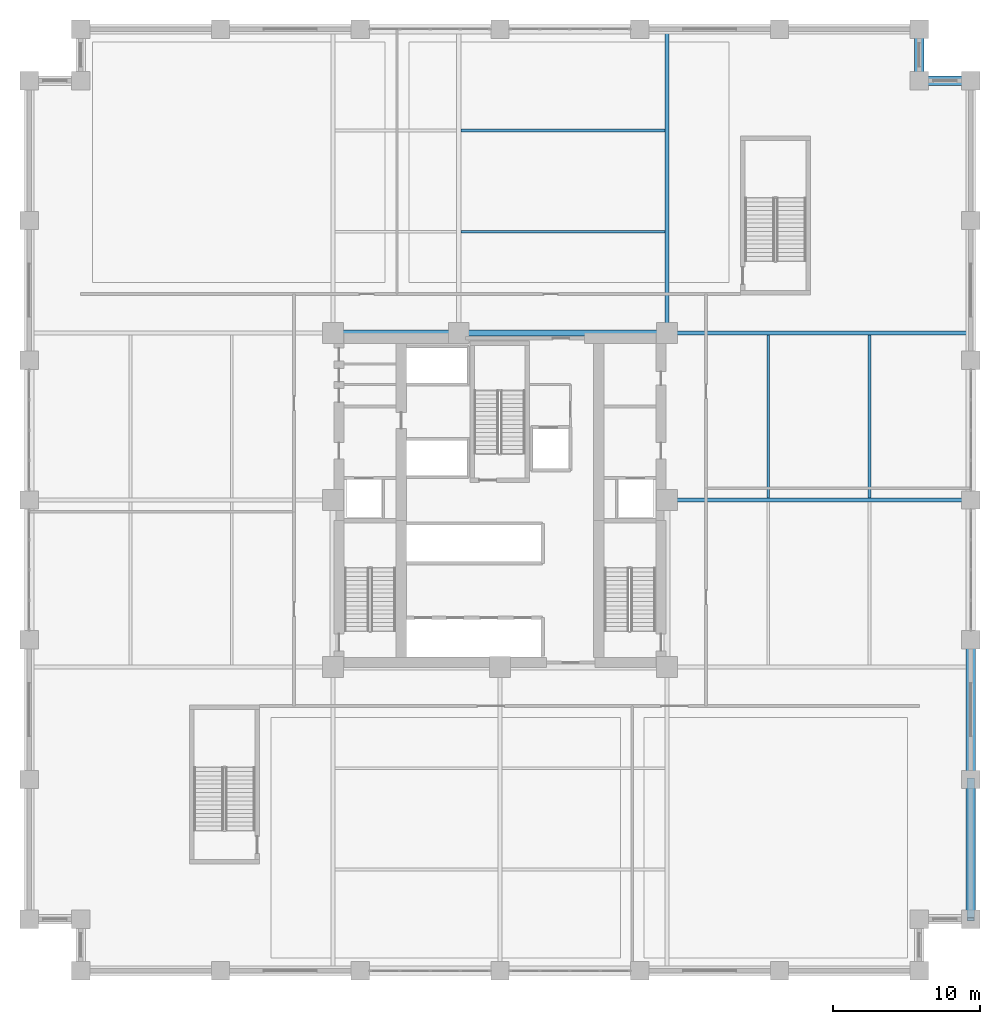
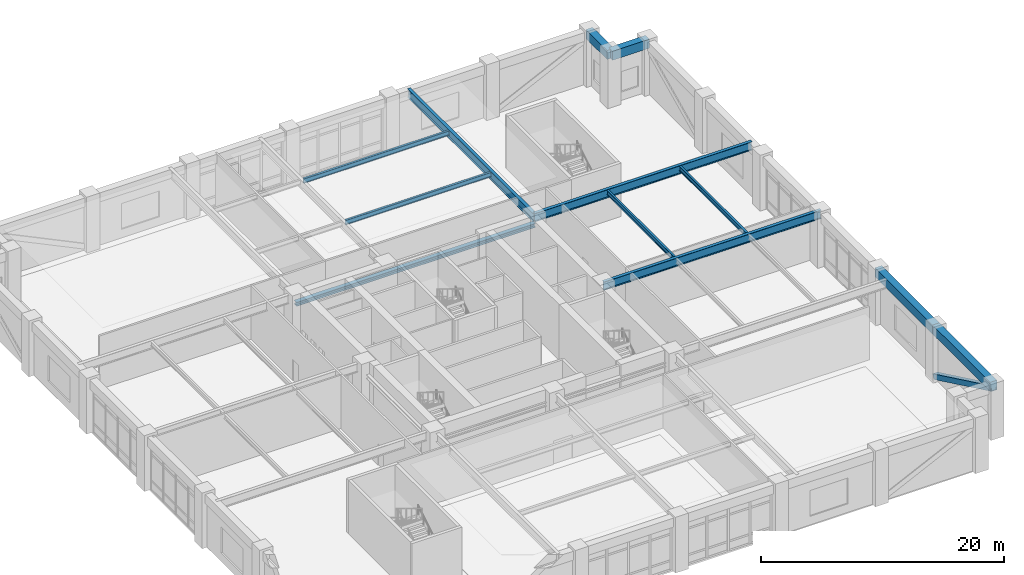
# One storey, part 7 of 21: 11 beams, 2 members.
"""IFC4 building model written with IfcOpenShell, lengths in metres."""

from ifc_helpers import new_model, si_unit, direction, frame, origin, origin_2d, place, context, subcontext, project, spatial, rectangle, hollow_rectangle, i_section, extrude, material, material_profile, profile_set, type_object, element, save


model = new_model("IFC4")

# Units and contexts
model_context = context("Model", 3, precision=1e-05, world=origin(), true_north=direction((0.0, 1.0)))
body_context = subcontext(model_context, "Body", "Model", "MODEL_VIEW")
ifc_project = project(units=[si_unit("LENGTHUNIT", "METRE"), si_unit("AREAUNIT", "SQUARE_METRE"), si_unit("VOLUMEUNIT", "CUBIC_METRE"), si_unit("PLANEANGLEUNIT", "RADIAN"), si_unit("MASSUNIT", "GRAM", prefix="KILO")], contexts=[model_context])

# Site, building, storey
site_placement = place(None, origin())
site = spatial("IfcSite", under=ifc_project, at=site_placement, CompositionType="ELEMENT")
building_placement = place(site_placement, origin())
building = spatial("IfcBuilding", under=site, at=building_placement, Name="Nhamokura Convention Tower", CompositionType="ELEMENT")
storey_placement = place(building_placement, frame((0.0, 0.0, 12.25)))
storey = spatial("IfcBuildingStorey", under=building, at=storey_placement, Name="L02", CompositionType="ELEMENT", Elevation=12.25)

# Beams
ifc_material_1 = material(Name="Steel ASTM A992 Gr 50", Category="steel")
ifc_material_profile_1 = material_profile(ifc_material_1, i_section(OverallWidth=0.19189453125, OverallDepth=0.462890625, WebThickness=0.010498046875, FlangeThickness=0.017578125, at=origin_2d()))
ifc_profile_set_1 = profile_set([ifc_material_profile_1], Name="Steel ASTM A992 Gr 50")
beam_type_1 = type_object("IfcBeamType", Name="FloorJoist_W460X89", PredefinedType="JOIST", material=ifc_profile_set_1)
for number, where, z_axis, x_axis, name in (
    (1, (29.344970703125, 50.2333984375, 5.12841796875), (1.0, 0.0, 0.0), (0.0, 1.0, 0.0), "L02 Composite Floor Joist N1B"),
    (2, (29.344970703125, 57.11669921875, 5.12841796875), (1.0, 0.0, 0.0), (0.0, 1.0, 0.0), "L02 Composite Floor Joist N2B"),
):
    element("IfcBeam", number, at=place(storey_placement, frame(where, z_axis=z_axis, x_axis=x_axis)), inside=storey, type_object=beam_type_1, Name=name, PredefinedType="JOIST", context=body_context, shape_type="SweptSolid", body=[
        extrude(i_section(OverallWidth=0.19189453125, OverallDepth=0.462890625, WebThickness=0.010498046875, FlangeThickness=0.017578125, at=origin_2d()), origin(), (0.0, 0.0, 1.0), 13.860107421875),
    ])
for number, where, z_axis, x_axis, name in (
    (3, (50.2333984375, 32.14501953125, 5.12841796875), (0.0, 1.0, 0.0), (-1.0, 0.0, 0.0), "L02 Composite Floor Joist E1B"),
    (4, (57.11669921875, 32.14501953125, 5.12841796875), (0.0, 1.0, 0.0), (-1.0, 0.0, 0.0), "L02 Composite Floor Joist E2B"),
):
    element("IfcBeam", number, at=place(storey_placement, frame(where, z_axis=z_axis, x_axis=x_axis)), inside=storey, type_object=beam_type_1, Name=name, PredefinedType="JOIST", context=body_context, shape_type="SweptSolid", body=[
        extrude(i_section(OverallWidth=0.19189453125, OverallDepth=0.462890625, WebThickness=0.010498046875, FlangeThickness=0.017578125, at=origin_2d()), origin(), (0.0, 0.0, 1.0), 11.06005859375),
    ])
ifc_material_2 = material(Name="Steel ASTM A992 Gr 50", Category="steel")
ifc_material_profile_2 = material_profile(ifc_material_2, i_section(OverallWidth=0.2939453125, OverallDepth=0.85107421875, WebThickness=0.01611328125, FlangeThickness=0.02685546875, at=origin_2d()))
ifc_profile_set_2 = profile_set([ifc_material_profile_2], Name="Steel ASTM A992 Gr 50")
beam_type_2 = type_object("IfcBeamType", Name="HallGirder_W840X226", PredefinedType="BEAM", material=ifc_profile_set_2)
for number, where, z_axis, x_axis, name in (
    (5, (43.35009765625, 43.35009765625, 4.9345703125), (0.0, 1.0, 0.0), (-1.0, 0.0, 0.0), "L02 Primary Floor Girder PG-N3"),
    (6, (43.35009765625, 32.0, 4.9345703125), (1.0, 0.0, 0.0), (0.0, 1.0, 0.0), "L02 Primary Floor Girder PG-E2"),
    (7, (43.35009765625, 43.35009765625, 4.9345703125), (1.0, 0.0, 0.0), (0.0, 1.0, 0.0), "L02 Primary Floor Girder PG-E3"),
):
    element("IfcBeam", number, at=place(storey_placement, frame(where, z_axis=z_axis, x_axis=x_axis)), inside=storey, type_object=beam_type_2, Name=name, PredefinedType="BEAM", context=body_context, shape_type="SweptSolid", body=[
        extrude(i_section(OverallWidth=0.2939453125, OverallDepth=0.85107421875, WebThickness=0.01611328125, FlangeThickness=0.02685546875, at=origin_2d()), origin(), (0.0, 0.0, 1.0), 20.64990234375),
    ])

# Members
ifc_material_3 = material(Name="Steel ASTM A572 Gr 50", Category="steel")
ifc_material_profile_3 = material_profile(ifc_material_3, i_section(OverallWidth=0.404052734375, OverallDepth=0.406982421875, WebThickness=0.027099609375, FlangeThickness=0.043701171875, at=origin_2d()))
ifc_profile_set_3 = profile_set([ifc_material_profile_3], Name="Steel ASTM A572 Gr 50")
member_type_1 = type_object("IfcMemberType", Name="HallTrussChord_W360X347", PredefinedType="CHORD", material=ifc_profile_set_3)
member_1_placement = place(storey_placement, frame((20.64990234375, 43.35009765625, 4.2099609375), z_axis=(1.0, 0.0, 0.0), x_axis=(0.0, 1.0, 0.0)))
element("IfcMember", 8, at=member_1_placement, inside=storey, type_object=member_type_1, Name="L02 Convention Hall Truss Chord HTC-N", PredefinedType="CHORD", context=body_context, shape_type="SweptSolid", body=[
    extrude(i_section(OverallWidth=0.404052734375, OverallDepth=0.406982421875, WebThickness=0.027099609375, FlangeThickness=0.043701171875, at=origin_2d()), origin(), (0.0, 0.0, 1.0), 22.7001953125),
])
ifc_material_4 = material(Name="Steel ASTM A572 Gr 50", Category="steel")
ifc_material_profile_4 = material_profile(ifc_material_4, hollow_rectangle(XDim=0.5, YDim=0.5, WallThickness=0.02490234375, at=origin_2d()))
ifc_profile_set_4 = profile_set([ifc_material_profile_4], Name="Steel ASTM A572 Gr 50")
member_type_2 = type_object("IfcMemberType", Name="TubeBrace_HSS500", PredefinedType="BRACE", material=ifc_profile_set_4)
member_2_placement = place(storey_placement, frame((64.0, 13.0, 0.14990234375), z_axis=(0.0, -0.901520888263, 0.432735586734), x_axis=(1.0, 0.0, 0.0)))
element("IfcMember", 9, at=member_2_placement, inside=storey, type_object=member_type_2, Name="L02 Perimeter Tube Brace EAST Bay 0", PredefinedType="BRACE", context=body_context, shape_type="SweptSolid", body=[
    extrude(hollow_rectangle(XDim=0.5, YDim=0.5, WallThickness=0.02490234375, at=origin_2d()), origin(), (0.0, 0.0, 1.0), 10.537841796875),
])

# Beams
ifc_material_5 = material(Name="Concrete C60/75", Category="concrete")
ifc_material_profile_5 = material_profile(ifc_material_5, rectangle(XDim=0.64990234375, YDim=0.89990234375, at=origin_2d()))
ifc_profile_set_5 = profile_set([ifc_material_profile_5], Name="Concrete C60/75")
beam_type_3 = type_object("IfcBeamType", Name="TubeSpandrel_900", PredefinedType="SPANDREL", material=ifc_profile_set_5)
for number, where, z_axis, x_axis, name in (
    (10, (64.0, 3.5, 4.909912109375), (0.0, 1.0, 0.0), (-1.0, 0.0, 0.0), "L02 Perimeter Spandrel EAST 1"),
    (11, (64.0, 13.0, 4.909912109375), (0.0, 1.0, 0.0), (-1.0, 0.0, 0.0), "L02 Perimeter Spandrel EAST 2"),
):
    element("IfcBeam", number, at=place(storey_placement, frame(where, z_axis=z_axis, x_axis=x_axis)), inside=storey, type_object=beam_type_3, Name=name, PredefinedType="SPANDREL", context=body_context, shape_type="SweptSolid", body=[
        extrude(rectangle(XDim=0.64990234375, YDim=0.89990234375, at=origin_2d()), origin(), (0.0, 0.0, 1.0), 9.5),
    ])
for number, where, z_axis, x_axis, name in (
    (12, (64.0, 60.5, 4.909912109375), (-1.0, 0.0, 0.0), (0.0, -1.0, 0.0), "L02 Notch Spandrel NE1"),
    (13, (60.5, 60.5, 4.909912109375), (0.0, 1.0, 0.0), (-1.0, 0.0, 0.0), "L02 Notch Spandrel NE2"),
):
    element("IfcBeam", number, at=place(storey_placement, frame(where, z_axis=z_axis, x_axis=x_axis)), inside=storey, type_object=beam_type_3, Name=name, PredefinedType="SPANDREL", context=body_context, shape_type="SweptSolid", body=[
        extrude(rectangle(XDim=0.64990234375, YDim=0.89990234375, at=origin_2d()), origin(), (0.0, 0.0, 1.0), 3.5),
    ])

save(model, "model.ifc")
